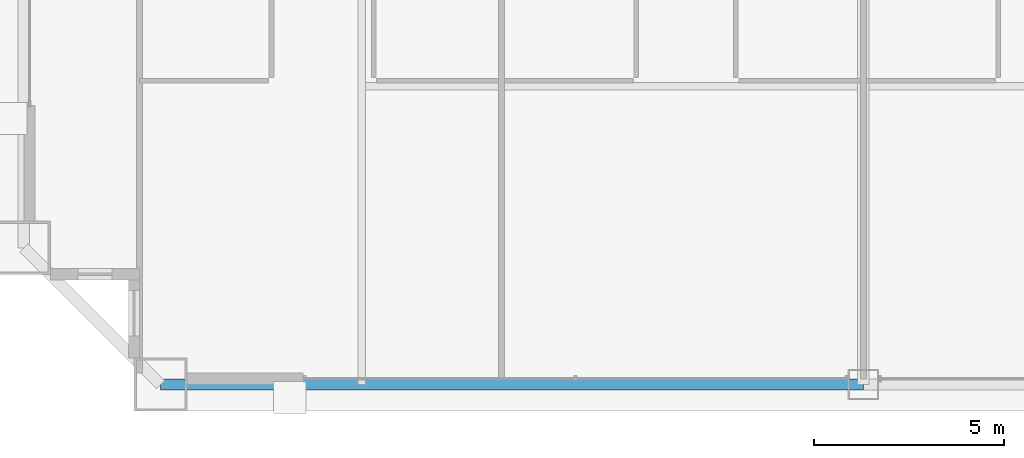
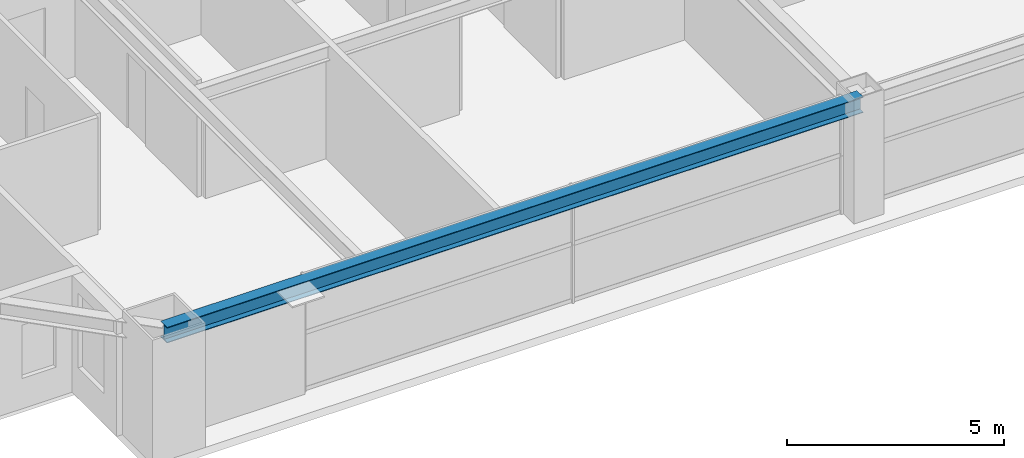
# One storey, part 5 of 38: 1 beam.
"""IFC4 building model written with IfcOpenShell, lengths in metres."""

from ifc_helpers import new_model, si_unit, direction, frame, origin, origin_2d, place, context, subcontext, project, spatial, i_section, extrude, source, transform, mapped, material, material_profile, profile_set, type_object, element, save


model = new_model("IFC4")

# Units and contexts
model_context = context("Model", 3, precision=1e-05, world=origin(), true_north=direction((0.0, 1.0)))
body_context = subcontext(model_context, "Body", "Model", "MODEL_VIEW")
ifc_project = project(units=[si_unit("LENGTHUNIT", "METRE"), si_unit("AREAUNIT", "SQUARE_METRE"), si_unit("VOLUMEUNIT", "CUBIC_METRE"), si_unit("PLANEANGLEUNIT", "RADIAN"), si_unit("MASSUNIT", "GRAM", prefix="KILO"), si_unit("THERMODYNAMICTEMPERATUREUNIT", "KELVIN"), si_unit("POWERUNIT", "WATT")], contexts=[model_context])

# Site, building, storey
site_placement = place(None, origin())
site = spatial("IfcSite", under=ifc_project, at=site_placement, CompositionType="ELEMENT")
building_placement = place(site_placement, origin())
building = spatial("IfcBuilding", under=site, at=building_placement, Name="Yuzanri Waterfront Tower", CompositionType="ELEMENT")
storey_placement = place(building_placement, frame((0.0, 0.0, 188.0)))
storey = spatial("IfcBuildingStorey", under=building, at=storey_placement, Name="L49", CompositionType="ELEMENT", Elevation=188.0)

# Beam
ifc_material = material(Name="Steel Q355B", Category="steel")
ifc_material_profile = material_profile(ifc_material, i_section(OverallWidth=0.300048828125, OverallDepth=0.43994140625, WebThickness=0.010986328125, FlangeThickness=0.01806640625, at=origin_2d()), Name="HM 440x300x11x18")
ifc_profile_set = profile_set([ifc_material_profile], Name="Steel Q355B")
beam_type = type_object("IfcBeamType", Name="Perimeter Spandrel Q355B HM 440x300", PredefinedType="SPANDREL", material=ifc_profile_set)
shared_shape = source(origin(), body_context, "Body", "SweptSolid", [
    extrude(i_section(OverallWidth=0.300048828125, OverallDepth=0.43994140625, WebThickness=0.010986328125, FlangeThickness=0.01806640625, at=origin_2d()), origin(), (0.0, 0.0, 1.0), 18.5),
])
beam_placement = place(storey_placement, frame((18.5, 3.699951171875, 3.06005859375), z_axis=(1.0, 0.0, 0.0), x_axis=(0.0, 1.0, 0.0)))
element("IfcBeam", 1, at=beam_placement, inside=storey, type_object=beam_type, Name="L49 Perimeter Spandrel S1-S2", PredefinedType="SPANDREL", context=body_context, shape_type="MappedRepresentation", body=[
    mapped(shared_shape, transform((0.0, 0.0, 0.0), scale=1.0)),
])

save(model, "model.ifc")
